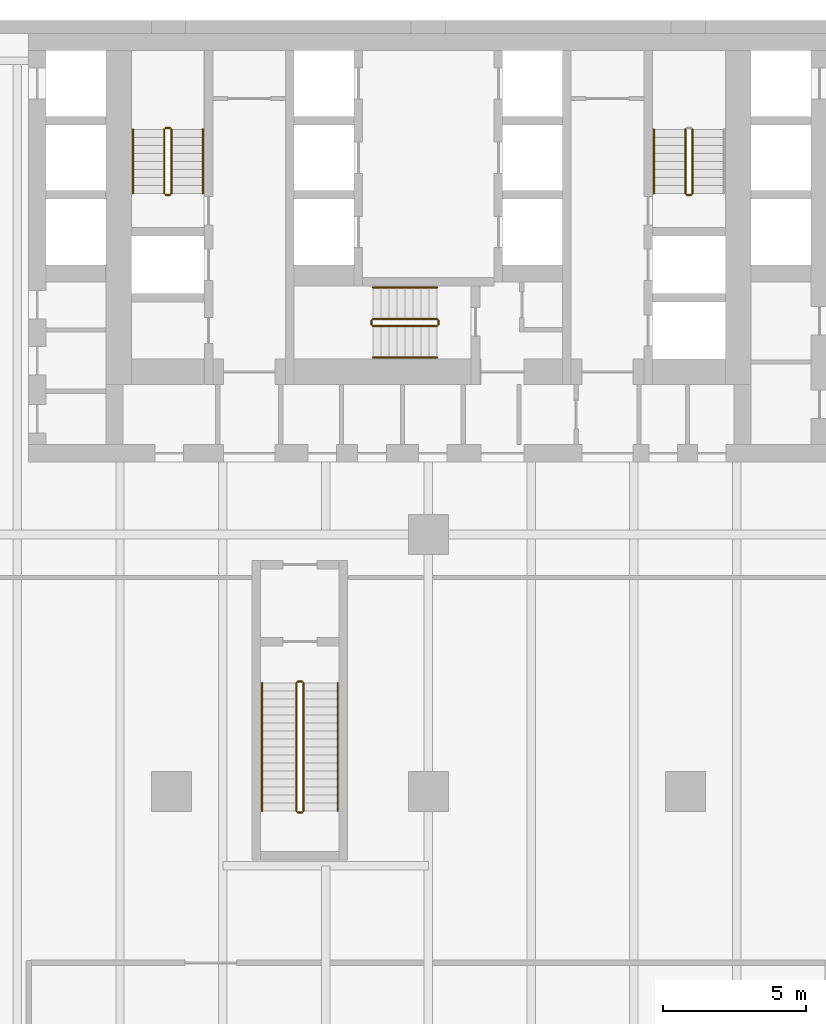
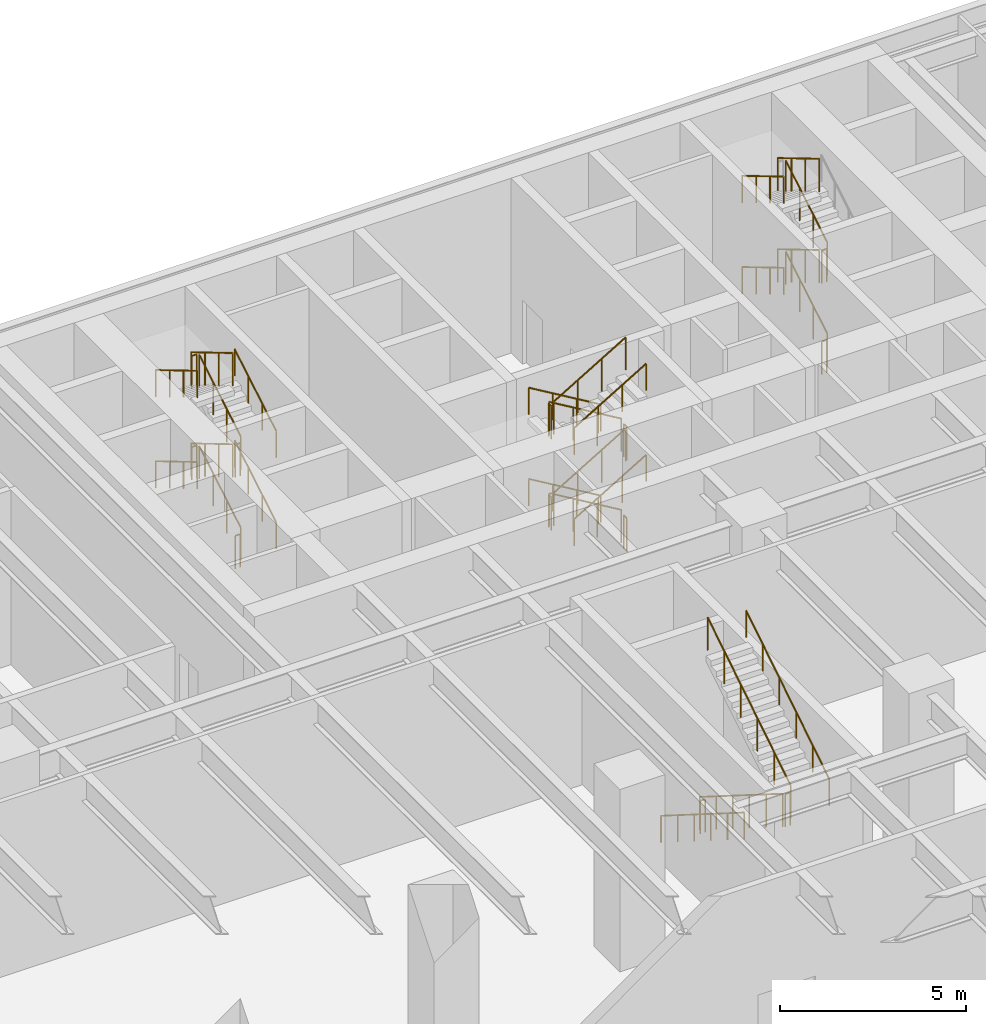
# One storey, part 38 of 40: 38 railings.
"""IFC4 building model written with IfcOpenShell, lengths in metres."""

from ifc_helpers import new_model, si_unit, direction, frame, origin, origin_2d, place, context, subcontext, project, spatial, circle, extrude, material, type_object, element, save


model = new_model("IFC4")

# Units and contexts
model_context = context("Model", 3, precision=1e-05, world=origin(), true_north=direction((0.0, 1.0)))
body_context = subcontext(model_context, "Body", "Model", "MODEL_VIEW")
ifc_project = project(units=[si_unit("LENGTHUNIT", "METRE"), si_unit("AREAUNIT", "SQUARE_METRE"), si_unit("VOLUMEUNIT", "CUBIC_METRE"), si_unit("PLANEANGLEUNIT", "RADIAN"), si_unit("MASSUNIT", "GRAM", prefix="KILO")], contexts=[model_context])

# Site, building, storey
site_placement = place(None, origin())
site = spatial("IfcSite", under=ifc_project, at=site_placement, CompositionType="ELEMENT")
building_placement = place(site_placement, origin())
building = spatial("IfcBuilding", under=site, at=building_placement, Name="Aloe Facet Convention Tower", CompositionType="ELEMENT")
storey_placement = place(building_placement, frame((0.0, 0.0, 13.5)))
storey = spatial("IfcBuildingStorey", under=building, at=storey_placement, Name="L02", CompositionType="ELEMENT", Elevation=13.5)

# Railings
ifc_material_1 = material(Name="Steel S355 balustrade", Category="steel")
railing_type_1 = type_object("IfcRailingType", Name="CR-RL-GUARD", PredefinedType="GUARDRAIL", material=ifc_material_1)
railing_1_placement = place(storey_placement, frame((71.0, 128.949951171875, 0.166748046875)))
element("IfcRailing", 1, at=railing_1_placement, inside=storey, type_object=railing_type_1, Name="L02 ST1 stair guard 1", PredefinedType="GUARDRAIL", context=body_context, shape_type="SweptSolid", body=[
    extrude(circle(Radius=0.02392578125, at=origin_2d()), frame((0.0, 0.0, 1.076171875), z_axis=(0.0, 0.859305625298, 0.511462454469), x_axis=(-1.0, 0.0, 0.0)), (0.0, 0.0, 1.0), 2.606689453125),
    extrude(circle(Radius=0.02099609375, at=origin_2d()), origin(), (0.0, 0.0, 1.0), 1.052001953125),
    extrude(circle(Radius=0.02099609375, at=origin_2d()), frame((0.0, 0.74658203125, 0.4443359375)), (0.0, 0.0, 1.0), 1.052001953125),
    extrude(circle(Radius=0.02099609375, at=origin_2d()), frame((0.0, 1.493408203125, 0.888916015625)), (0.0, 0.0, 1.0), 1.052001953125),
    extrude(circle(Radius=0.02099609375, at=origin_2d()), frame((0.0, 2.239990234375, 1.333251953125)), (0.0, 0.0, 1.0), 1.052001953125),
])
railing_2_placement = place(storey_placement, frame((70.949951171875, 131.239990234375, 1.5)))
element("IfcRailing", 2, at=railing_2_placement, inside=storey, type_object=railing_type_1, Name="L02 ST1 stair guard 2", PredefinedType="GUARDRAIL", context=body_context, shape_type="SweptSolid", body=[
    extrude(circle(Radius=0.02392578125, at=origin_2d()), frame((0.0, 0.0, 1.076171875), z_axis=(-1.0, 0.0, 0.0), x_axis=(0.0, -1.0, 0.0)), (0.0, 0.0, 1.0), 0.14990234375),
    extrude(circle(Radius=0.02099609375, at=origin_2d()), origin(), (0.0, 0.0, 1.0), 1.052001953125),
    extrude(circle(Radius=0.02099609375, at=origin_2d()), frame((-0.14990234375, 0.0, 0.0)), (0.0, 0.0, 1.0), 1.052001953125),
])
railing_3_placement = place(storey_placement, frame((70.75, 131.18994140625, 1.666748046875)))
element("IfcRailing", 3, at=railing_3_placement, inside=storey, type_object=railing_type_1, Name="L02 ST1 stair guard 3", PredefinedType="GUARDRAIL", context=body_context, shape_type="SweptSolid", body=[
    extrude(circle(Radius=0.02392578125, at=origin_2d()), frame((0.0, 0.0, 1.076171875), z_axis=(0.0, -0.859305625298, 0.511462454469), x_axis=(1.0, 0.0, 0.0)), (0.0, 0.0, 1.0), 2.606689453125),
    extrude(circle(Radius=0.02099609375, at=origin_2d()), origin(), (0.0, 0.0, 1.0), 1.052001953125),
    extrude(circle(Radius=0.02099609375, at=origin_2d()), frame((0.0, -0.74658203125, 0.4443359375)), (0.0, 0.0, 1.0), 1.052001953125),
    extrude(circle(Radius=0.02099609375, at=origin_2d()), frame((0.0, -1.493408203125, 0.888916015625)), (0.0, 0.0, 1.0), 1.052001953125),
    extrude(circle(Radius=0.02099609375, at=origin_2d()), frame((0.0, -2.239990234375, 1.333251953125)), (0.0, 0.0, 1.0), 1.052001953125),
])
railing_4_placement = place(storey_placement, frame((70.949951171875, 128.89990234375, 3.0)))
element("IfcRailing", 4, at=railing_4_placement, inside=storey, type_object=railing_type_1, Name="L02 ST1 stair guard 4", PredefinedType="GUARDRAIL", context=body_context, shape_type="SweptSolid", body=[
    extrude(circle(Radius=0.02392578125, at=origin_2d()), frame((0.0, 0.0, 1.076171875), z_axis=(-1.0, 0.0, 0.0), x_axis=(0.0, -1.0, 0.0)), (0.0, 0.0, 1.0), 0.14990234375),
    extrude(circle(Radius=0.02099609375, at=origin_2d()), origin(), (0.0, 0.0, 1.0), 1.052001953125),
    extrude(circle(Radius=0.02099609375, at=origin_2d()), frame((-0.14990234375, 0.0, 0.0)), (0.0, 0.0, 1.0), 1.052001953125),
])
railing_5_placement = place(storey_placement, frame((71.0, 128.949951171875, 3.166748046875)))
element("IfcRailing", 5, at=railing_5_placement, inside=storey, type_object=railing_type_1, Name="L02 ST1 stair guard 5", PredefinedType="GUARDRAIL", context=body_context, shape_type="SweptSolid", body=[
    extrude(circle(Radius=0.02392578125, at=origin_2d()), frame((0.0, 0.0, 1.076171875), z_axis=(0.0, 0.859305625298, 0.511462454469), x_axis=(-1.0, 0.0, 0.0)), (0.0, 0.0, 1.0), 2.606689453125),
    extrude(circle(Radius=0.02099609375, at=origin_2d()), origin(), (0.0, 0.0, 1.0), 1.052001953125),
    extrude(circle(Radius=0.02099609375, at=origin_2d()), frame((0.0, 0.74658203125, 0.4443359375)), (0.0, 0.0, 1.0), 1.052001953125),
    extrude(circle(Radius=0.02099609375, at=origin_2d()), frame((0.0, 1.493408203125, 0.888916015625)), (0.0, 0.0, 1.0), 1.052001953125),
    extrude(circle(Radius=0.02099609375, at=origin_2d()), frame((0.0, 2.239990234375, 1.333251953125)), (0.0, 0.0, 1.0), 1.052001953125),
])
railing_6_placement = place(storey_placement, frame((70.949951171875, 131.239990234375, 4.5)))
element("IfcRailing", 6, at=railing_6_placement, inside=storey, type_object=railing_type_1, Name="L02 ST1 stair guard 6", PredefinedType="GUARDRAIL", context=body_context, shape_type="SweptSolid", body=[
    extrude(circle(Radius=0.02392578125, at=origin_2d()), frame((0.0, 0.0, 1.076171875), z_axis=(-1.0, 0.0, 0.0), x_axis=(0.0, -1.0, 0.0)), (0.0, 0.0, 1.0), 0.14990234375),
    extrude(circle(Radius=0.02099609375, at=origin_2d()), origin(), (0.0, 0.0, 1.0), 1.052001953125),
    extrude(circle(Radius=0.02099609375, at=origin_2d()), frame((-0.14990234375, 0.0, 0.0)), (0.0, 0.0, 1.0), 1.052001953125),
])
railing_7_placement = place(storey_placement, frame((70.75, 131.18994140625, 4.666748046875)))
element("IfcRailing", 7, at=railing_7_placement, inside=storey, type_object=railing_type_1, Name="L02 ST1 stair guard 7", PredefinedType="GUARDRAIL", context=body_context, shape_type="SweptSolid", body=[
    extrude(circle(Radius=0.02392578125, at=origin_2d()), frame((0.0, 0.0, 1.076171875), z_axis=(0.0, -0.859305625298, 0.511462454469), x_axis=(1.0, 0.0, 0.0)), (0.0, 0.0, 1.0), 2.606689453125),
    extrude(circle(Radius=0.02099609375, at=origin_2d()), origin(), (0.0, 0.0, 1.0), 1.052001953125),
    extrude(circle(Radius=0.02099609375, at=origin_2d()), frame((0.0, -0.74658203125, 0.4443359375)), (0.0, 0.0, 1.0), 1.052001953125),
    extrude(circle(Radius=0.02099609375, at=origin_2d()), frame((0.0, -1.493408203125, 0.888916015625)), (0.0, 0.0, 1.0), 1.052001953125),
    extrude(circle(Radius=0.02099609375, at=origin_2d()), frame((0.0, -2.239990234375, 1.333251953125)), (0.0, 0.0, 1.0), 1.052001953125),
])
railing_8_placement = place(storey_placement, frame((70.949951171875, 128.89990234375, 0.0)))
element("IfcRailing", 8, at=railing_8_placement, inside=storey, type_object=railing_type_1, Name="L02 ST1 stair guard 8", PredefinedType="GUARDRAIL", context=body_context, shape_type="SweptSolid", body=[
    extrude(circle(Radius=0.02392578125, at=origin_2d()), frame((0.0, 0.0, 1.076171875), z_axis=(-1.0, 0.0, 0.0), x_axis=(0.0, -1.0, 0.0)), (0.0, 0.0, 1.0), 0.14990234375),
    extrude(circle(Radius=0.02099609375, at=origin_2d()), origin(), (0.0, 0.0, 1.0), 1.052001953125),
    extrude(circle(Radius=0.02099609375, at=origin_2d()), frame((-0.14990234375, 0.0, 0.0)), (0.0, 0.0, 1.0), 1.052001953125),
])
railing_9_placement = place(storey_placement, frame((89.25, 128.949951171875, 0.166748046875)))
element("IfcRailing", 9, at=railing_9_placement, inside=storey, type_object=railing_type_1, Name="L02 ST2 stair guard 1", PredefinedType="GUARDRAIL", context=body_context, shape_type="SweptSolid", body=[
    extrude(circle(Radius=0.02392578125, at=origin_2d()), frame((0.0, 0.0, 1.076171875), z_axis=(0.0, 0.859305625298, 0.511462454469), x_axis=(-1.0, 0.0, 0.0)), (0.0, 0.0, 1.0), 2.606689453125),
    extrude(circle(Radius=0.02099609375, at=origin_2d()), origin(), (0.0, 0.0, 1.0), 1.052001953125),
    extrude(circle(Radius=0.02099609375, at=origin_2d()), frame((0.0, 0.74658203125, 0.4443359375)), (0.0, 0.0, 1.0), 1.052001953125),
    extrude(circle(Radius=0.02099609375, at=origin_2d()), frame((0.0, 1.493408203125, 0.888916015625)), (0.0, 0.0, 1.0), 1.052001953125),
    extrude(circle(Radius=0.02099609375, at=origin_2d()), frame((0.0, 2.239990234375, 1.333251953125)), (0.0, 0.0, 1.0), 1.052001953125),
])
railing_10_placement = place(storey_placement, frame((89.0, 131.18994140625, 1.666748046875)))
element("IfcRailing", 10, at=railing_10_placement, inside=storey, type_object=railing_type_1, Name="L02 ST2 stair guard 3", PredefinedType="GUARDRAIL", context=body_context, shape_type="SweptSolid", body=[
    extrude(circle(Radius=0.02392578125, at=origin_2d()), frame((0.0, 0.0, 1.076171875), z_axis=(0.0, -0.859305625298, 0.511462454469), x_axis=(1.0, 0.0, 0.0)), (0.0, 0.0, 1.0), 2.606689453125),
    extrude(circle(Radius=0.02099609375, at=origin_2d()), origin(), (0.0, 0.0, 1.0), 1.052001953125),
    extrude(circle(Radius=0.02099609375, at=origin_2d()), frame((0.0, -0.74658203125, 0.4443359375)), (0.0, 0.0, 1.0), 1.052001953125),
    extrude(circle(Radius=0.02099609375, at=origin_2d()), frame((0.0, -1.493408203125, 0.888916015625)), (0.0, 0.0, 1.0), 1.052001953125),
    extrude(circle(Radius=0.02099609375, at=origin_2d()), frame((0.0, -2.239990234375, 1.333251953125)), (0.0, 0.0, 1.0), 1.052001953125),
])
railing_11_placement = place(storey_placement, frame((89.199951171875, 128.89990234375, 3.0)))
element("IfcRailing", 11, at=railing_11_placement, inside=storey, type_object=railing_type_1, Name="L02 ST2 stair guard 4", PredefinedType="GUARDRAIL", context=body_context, shape_type="SweptSolid", body=[
    extrude(circle(Radius=0.02392578125, at=origin_2d()), frame((0.0, 0.0, 1.076171875), z_axis=(-1.0, 0.0, 0.0), x_axis=(0.0, -1.0, 0.0)), (0.0, 0.0, 1.0), 0.14990234375),
    extrude(circle(Radius=0.02099609375, at=origin_2d()), origin(), (0.0, 0.0, 1.0), 1.052001953125),
    extrude(circle(Radius=0.02099609375, at=origin_2d()), frame((-0.14990234375, 0.0, 0.0)), (0.0, 0.0, 1.0), 1.052001953125),
])
railing_12_placement = place(storey_placement, frame((89.25, 128.949951171875, 3.166748046875)))
element("IfcRailing", 12, at=railing_12_placement, inside=storey, type_object=railing_type_1, Name="L02 ST2 stair guard 5", PredefinedType="GUARDRAIL", context=body_context, shape_type="SweptSolid", body=[
    extrude(circle(Radius=0.02392578125, at=origin_2d()), frame((0.0, 0.0, 1.076171875), z_axis=(0.0, 0.859305625298, 0.511462454469), x_axis=(-1.0, 0.0, 0.0)), (0.0, 0.0, 1.0), 2.606689453125),
    extrude(circle(Radius=0.02099609375, at=origin_2d()), origin(), (0.0, 0.0, 1.0), 1.052001953125),
    extrude(circle(Radius=0.02099609375, at=origin_2d()), frame((0.0, 0.74658203125, 0.4443359375)), (0.0, 0.0, 1.0), 1.052001953125),
    extrude(circle(Radius=0.02099609375, at=origin_2d()), frame((0.0, 1.493408203125, 0.888916015625)), (0.0, 0.0, 1.0), 1.052001953125),
    extrude(circle(Radius=0.02099609375, at=origin_2d()), frame((0.0, 2.239990234375, 1.333251953125)), (0.0, 0.0, 1.0), 1.052001953125),
])
railing_13_placement = place(storey_placement, frame((89.0, 131.18994140625, 4.666748046875)))
element("IfcRailing", 13, at=railing_13_placement, inside=storey, type_object=railing_type_1, Name="L02 ST2 stair guard 7", PredefinedType="GUARDRAIL", context=body_context, shape_type="SweptSolid", body=[
    extrude(circle(Radius=0.02392578125, at=origin_2d()), frame((0.0, 0.0, 1.076171875), z_axis=(0.0, -0.859305625298, 0.511462454469), x_axis=(1.0, 0.0, 0.0)), (0.0, 0.0, 1.0), 2.606689453125),
    extrude(circle(Radius=0.02099609375, at=origin_2d()), origin(), (0.0, 0.0, 1.0), 1.052001953125),
    extrude(circle(Radius=0.02099609375, at=origin_2d()), frame((0.0, -0.74658203125, 0.4443359375)), (0.0, 0.0, 1.0), 1.052001953125),
    extrude(circle(Radius=0.02099609375, at=origin_2d()), frame((0.0, -1.493408203125, 0.888916015625)), (0.0, 0.0, 1.0), 1.052001953125),
    extrude(circle(Radius=0.02099609375, at=origin_2d()), frame((0.0, -2.239990234375, 1.333251953125)), (0.0, 0.0, 1.0), 1.052001953125),
])
railing_14_placement = place(storey_placement, frame((89.199951171875, 128.89990234375, 0.0)))
element("IfcRailing", 14, at=railing_14_placement, inside=storey, type_object=railing_type_1, Name="L02 ST2 stair guard 8", PredefinedType="GUARDRAIL", context=body_context, shape_type="SweptSolid", body=[
    extrude(circle(Radius=0.02392578125, at=origin_2d()), frame((0.0, 0.0, 1.076171875), z_axis=(-1.0, 0.0, 0.0), x_axis=(0.0, -1.0, 0.0)), (0.0, 0.0, 1.0), 0.14990234375),
    extrude(circle(Radius=0.02099609375, at=origin_2d()), origin(), (0.0, 0.0, 1.0), 1.052001953125),
    extrude(circle(Radius=0.02099609375, at=origin_2d()), frame((-0.14990234375, 0.0, 0.0)), (0.0, 0.0, 1.0), 1.052001953125),
])
railing_15_placement = place(storey_placement, frame((80.300048828125, 124.550048828125, 0.166748046875)))
element("IfcRailing", 15, at=railing_15_placement, inside=storey, type_object=railing_type_1, Name="L02 ST3 stair guard 1", PredefinedType="GUARDRAIL", context=body_context, shape_type="SweptSolid", body=[
    extrude(circle(Radius=0.02392578125, at=origin_2d()), frame((0.0, 0.0, 1.076171875), z_axis=(-0.859305625298, 0.0, 0.511462454469), x_axis=(0.0, -1.0, 0.0)), (0.0, 0.0, 1.0), 2.606689453125),
    extrude(circle(Radius=0.02099609375, at=origin_2d()), origin(), (0.0, 0.0, 1.0), 1.052001953125),
    extrude(circle(Radius=0.02099609375, at=origin_2d()), frame((-0.74658203125, 0.0, 0.4443359375)), (0.0, 0.0, 1.0), 1.052001953125),
    extrude(circle(Radius=0.02099609375, at=origin_2d()), frame((-1.493408203125, 0.0, 0.888916015625)), (0.0, 0.0, 1.0), 1.052001953125),
    extrude(circle(Radius=0.02099609375, at=origin_2d()), frame((-2.239990234375, 0.0, 1.333251953125)), (0.0, 0.0, 1.0), 1.052001953125),
])
railing_16_placement = place(storey_placement, frame((78.010009765625, 124.5, 1.5)))
element("IfcRailing", 16, at=railing_16_placement, inside=storey, type_object=railing_type_1, Name="L02 ST3 stair guard 2", PredefinedType="GUARDRAIL", context=body_context, shape_type="SweptSolid", body=[
    extrude(circle(Radius=0.02392578125, at=origin_2d()), frame((0.0, 0.0, 1.076171875), z_axis=(0.0, -1.0, 0.0), x_axis=(1.0, 0.0, 0.0)), (0.0, 0.0, 1.0), 0.14990234375),
    extrude(circle(Radius=0.02099609375, at=origin_2d()), origin(), (0.0, 0.0, 1.0), 1.052001953125),
    extrude(circle(Radius=0.02099609375, at=origin_2d()), frame((0.0, -0.14990234375, 0.0)), (0.0, 0.0, 1.0), 1.052001953125),
])
railing_17_placement = place(storey_placement, frame((78.06005859375, 124.300048828125, 1.666748046875)))
element("IfcRailing", 17, at=railing_17_placement, inside=storey, type_object=railing_type_1, Name="L02 ST3 stair guard 3", PredefinedType="GUARDRAIL", context=body_context, shape_type="SweptSolid", body=[
    extrude(circle(Radius=0.02392578125, at=origin_2d()), frame((0.0, 0.0, 1.076171875), z_axis=(0.859305625298, 0.0, 0.511462454469), x_axis=(0.0, 1.0, 0.0)), (0.0, 0.0, 1.0), 2.606689453125),
    extrude(circle(Radius=0.02099609375, at=origin_2d()), origin(), (0.0, 0.0, 1.0), 1.052001953125),
    extrude(circle(Radius=0.02099609375, at=origin_2d()), frame((0.74658203125, 0.0, 0.4443359375)), (0.0, 0.0, 1.0), 1.052001953125),
    extrude(circle(Radius=0.02099609375, at=origin_2d()), frame((1.493408203125, 0.0, 0.888916015625)), (0.0, 0.0, 1.0), 1.052001953125),
    extrude(circle(Radius=0.02099609375, at=origin_2d()), frame((2.239990234375, 0.0, 1.333251953125)), (0.0, 0.0, 1.0), 1.052001953125),
])
railing_18_placement = place(storey_placement, frame((80.35009765625, 124.5, 3.0)))
element("IfcRailing", 18, at=railing_18_placement, inside=storey, type_object=railing_type_1, Name="L02 ST3 stair guard 4", PredefinedType="GUARDRAIL", context=body_context, shape_type="SweptSolid", body=[
    extrude(circle(Radius=0.02392578125, at=origin_2d()), frame((0.0, 0.0, 1.076171875), z_axis=(0.0, -1.0, 0.0), x_axis=(1.0, 0.0, 0.0)), (0.0, 0.0, 1.0), 0.14990234375),
    extrude(circle(Radius=0.02099609375, at=origin_2d()), origin(), (0.0, 0.0, 1.0), 1.052001953125),
    extrude(circle(Radius=0.02099609375, at=origin_2d()), frame((0.0, -0.14990234375, 0.0)), (0.0, 0.0, 1.0), 1.052001953125),
])
railing_19_placement = place(storey_placement, frame((80.300048828125, 124.550048828125, 3.166748046875)))
element("IfcRailing", 19, at=railing_19_placement, inside=storey, type_object=railing_type_1, Name="L02 ST3 stair guard 5", PredefinedType="GUARDRAIL", context=body_context, shape_type="SweptSolid", body=[
    extrude(circle(Radius=0.02392578125, at=origin_2d()), frame((0.0, 0.0, 1.076171875), z_axis=(-0.859305625298, 0.0, 0.511462454469), x_axis=(0.0, -1.0, 0.0)), (0.0, 0.0, 1.0), 2.606689453125),
    extrude(circle(Radius=0.02099609375, at=origin_2d()), origin(), (0.0, 0.0, 1.0), 1.052001953125),
    extrude(circle(Radius=0.02099609375, at=origin_2d()), frame((-0.74658203125, 0.0, 0.4443359375)), (0.0, 0.0, 1.0), 1.052001953125),
    extrude(circle(Radius=0.02099609375, at=origin_2d()), frame((-1.493408203125, 0.0, 0.888916015625)), (0.0, 0.0, 1.0), 1.052001953125),
    extrude(circle(Radius=0.02099609375, at=origin_2d()), frame((-2.239990234375, 0.0, 1.333251953125)), (0.0, 0.0, 1.0), 1.052001953125),
])
railing_20_placement = place(storey_placement, frame((78.010009765625, 124.5, 4.5)))
element("IfcRailing", 20, at=railing_20_placement, inside=storey, type_object=railing_type_1, Name="L02 ST3 stair guard 6", PredefinedType="GUARDRAIL", context=body_context, shape_type="SweptSolid", body=[
    extrude(circle(Radius=0.02392578125, at=origin_2d()), frame((0.0, 0.0, 1.076171875), z_axis=(0.0, -1.0, 0.0), x_axis=(1.0, 0.0, 0.0)), (0.0, 0.0, 1.0), 0.14990234375),
    extrude(circle(Radius=0.02099609375, at=origin_2d()), origin(), (0.0, 0.0, 1.0), 1.052001953125),
    extrude(circle(Radius=0.02099609375, at=origin_2d()), frame((0.0, -0.14990234375, 0.0)), (0.0, 0.0, 1.0), 1.052001953125),
])
railing_21_placement = place(storey_placement, frame((78.06005859375, 124.300048828125, 4.666748046875)))
element("IfcRailing", 21, at=railing_21_placement, inside=storey, type_object=railing_type_1, Name="L02 ST3 stair guard 7", PredefinedType="GUARDRAIL", context=body_context, shape_type="SweptSolid", body=[
    extrude(circle(Radius=0.02392578125, at=origin_2d()), frame((0.0, 0.0, 1.076171875), z_axis=(0.859305625298, 0.0, 0.511462454469), x_axis=(0.0, 1.0, 0.0)), (0.0, 0.0, 1.0), 2.606689453125),
    extrude(circle(Radius=0.02099609375, at=origin_2d()), origin(), (0.0, 0.0, 1.0), 1.052001953125),
    extrude(circle(Radius=0.02099609375, at=origin_2d()), frame((0.74658203125, 0.0, 0.4443359375)), (0.0, 0.0, 1.0), 1.052001953125),
    extrude(circle(Radius=0.02099609375, at=origin_2d()), frame((1.493408203125, 0.0, 0.888916015625)), (0.0, 0.0, 1.0), 1.052001953125),
    extrude(circle(Radius=0.02099609375, at=origin_2d()), frame((2.239990234375, 0.0, 1.333251953125)), (0.0, 0.0, 1.0), 1.052001953125),
])
railing_22_placement = place(storey_placement, frame((80.35009765625, 124.5, 0.0)))
element("IfcRailing", 22, at=railing_22_placement, inside=storey, type_object=railing_type_1, Name="L02 ST3 stair guard 8", PredefinedType="GUARDRAIL", context=body_context, shape_type="SweptSolid", body=[
    extrude(circle(Radius=0.02392578125, at=origin_2d()), frame((0.0, 0.0, 1.076171875), z_axis=(0.0, -1.0, 0.0), x_axis=(1.0, 0.0, 0.0)), (0.0, 0.0, 1.0), 0.14990234375),
    extrude(circle(Radius=0.02099609375, at=origin_2d()), origin(), (0.0, 0.0, 1.0), 1.052001953125),
    extrude(circle(Radius=0.02099609375, at=origin_2d()), frame((0.0, -0.14990234375, 0.0)), (0.0, 0.0, 1.0), 1.052001953125),
])
railing_23_placement = place(storey_placement, frame((75.375, 111.800048828125, 0.176513671875)))
element("IfcRailing", 23, at=railing_23_placement, inside=storey, type_object=railing_type_1, Name="L02 ST5 stair guard 1", PredefinedType="GUARDRAIL", context=body_context, shape_type="SweptSolid", body=[
    extrude(circle(Radius=0.02392578125, at=origin_2d()), frame((0.0, 0.0, 1.076171875), z_axis=(0.0, -0.845997938375, 0.533186166611), x_axis=(1.0, 0.0, 0.0)), (0.0, 0.0, 1.0), 5.29541015625),
    extrude(circle(Radius=0.02099609375, at=origin_2d()), origin(), (0.0, 0.0, 1.0), 1.052001953125),
    extrude(circle(Radius=0.02099609375, at=origin_2d()), frame((0.0, -0.89599609375, 0.564697265625)), (0.0, 0.0, 1.0), 1.052001953125),
    extrude(circle(Radius=0.02099609375, at=origin_2d()), frame((0.0, -1.7919921875, 1.12939453125)), (0.0, 0.0, 1.0), 1.052001953125),
    extrude(circle(Radius=0.02099609375, at=origin_2d()), frame((0.0, -2.68798828125, 1.694091796875)), (0.0, 0.0, 1.0), 1.052001953125),
    extrude(circle(Radius=0.02099609375, at=origin_2d()), frame((0.0, -3.583984375, 2.2587890625)), (0.0, 0.0, 1.0), 1.052001953125),
    extrude(circle(Radius=0.02099609375, at=origin_2d()), frame((0.0, -4.47998046875, 2.823486328125)), (0.0, 0.0, 1.0), 1.052001953125),
])
railing_24_placement = place(storey_placement, frame((75.425048828125, 107.27001953125, 3.0)))
element("IfcRailing", 24, at=railing_24_placement, inside=storey, type_object=railing_type_1, Name="L02 ST5 stair guard 2", PredefinedType="GUARDRAIL", context=body_context, shape_type="SweptSolid", body=[
    extrude(circle(Radius=0.02392578125, at=origin_2d()), frame((0.0, 0.0, 1.076171875), z_axis=(1.0, 0.0, 0.0), x_axis=(0.0, 1.0, 0.0)), (0.0, 0.0, 1.0), 0.14990234375),
    extrude(circle(Radius=0.02099609375, at=origin_2d()), origin(), (0.0, 0.0, 1.0), 1.052001953125),
    extrude(circle(Radius=0.02099609375, at=origin_2d()), frame((0.14990234375, 0.0, 0.0)), (0.0, 0.0, 1.0), 1.052001953125),
])
railing_25_placement = place(storey_placement, frame((75.625, 107.320068359375, 3.176513671875)))
element("IfcRailing", 25, at=railing_25_placement, inside=storey, type_object=railing_type_1, Name="L02 ST5 stair guard 3", PredefinedType="GUARDRAIL", context=body_context, shape_type="SweptSolid", body=[
    extrude(circle(Radius=0.02392578125, at=origin_2d()), frame((0.0, 0.0, 1.076171875), z_axis=(0.0, 0.845997938375, 0.533186166611), x_axis=(-1.0, 0.0, 0.0)), (0.0, 0.0, 1.0), 5.29541015625),
    extrude(circle(Radius=0.02099609375, at=origin_2d()), origin(), (0.0, 0.0, 1.0), 1.052001953125),
    extrude(circle(Radius=0.02099609375, at=origin_2d()), frame((0.0, 0.89599609375, 0.564697265625)), (0.0, 0.0, 1.0), 1.052001953125),
    extrude(circle(Radius=0.02099609375, at=origin_2d()), frame((0.0, 1.7919921875, 1.12939453125)), (0.0, 0.0, 1.0), 1.052001953125),
    extrude(circle(Radius=0.02099609375, at=origin_2d()), frame((0.0, 2.68798828125, 1.694091796875)), (0.0, 0.0, 1.0), 1.052001953125),
    extrude(circle(Radius=0.02099609375, at=origin_2d()), frame((0.0, 3.583984375, 2.2587890625)), (0.0, 0.0, 1.0), 1.052001953125),
    extrude(circle(Radius=0.02099609375, at=origin_2d()), frame((0.0, 4.47998046875, 2.823486328125)), (0.0, 0.0, 1.0), 1.052001953125),
])
railing_26_placement = place(storey_placement, frame((75.425048828125, 111.85009765625, 0.0)))
element("IfcRailing", 26, at=railing_26_placement, inside=storey, type_object=railing_type_1, Name="L02 ST5 stair guard 4", PredefinedType="GUARDRAIL", context=body_context, shape_type="SweptSolid", body=[
    extrude(circle(Radius=0.02392578125, at=origin_2d()), frame((0.0, 0.0, 1.076171875), z_axis=(1.0, 0.0, 0.0), x_axis=(0.0, 1.0, 0.0)), (0.0, 0.0, 1.0), 0.14990234375),
    extrude(circle(Radius=0.02099609375, at=origin_2d()), origin(), (0.0, 0.0, 1.0), 1.052001953125),
    extrude(circle(Radius=0.02099609375, at=origin_2d()), frame((0.14990234375, 0.0, 0.0)), (0.0, 0.0, 1.0), 1.052001953125),
])
ifc_material_2 = material(Name="Steel S355 handrail", Category="steel")
railing_type_2 = type_object("IfcRailingType", Name="CR-RL-HAND", PredefinedType="HANDRAIL", material=ifc_material_2)
railing_27_placement = place(storey_placement, frame((72.10009765625, 128.949951171875, 0.166748046875)))
element("IfcRailing", 27, at=railing_27_placement, inside=storey, type_object=railing_type_2, Name="L02 ST1 stair handrail 1", PredefinedType="HANDRAIL", context=body_context, shape_type="SweptSolid", body=[
    extrude(circle(Radius=0.02392578125, at=origin_2d()), frame((0.0, 0.0, 0.8759765625), z_axis=(0.0, 0.859305625298, 0.511462454469), x_axis=(-1.0, 0.0, 0.0)), (0.0, 0.0, 1.0), 2.606689453125),
    extrude(circle(Radius=0.02099609375, at=origin_2d()), origin(), (0.0, 0.0, 1.0), 0.851806640625),
    extrude(circle(Radius=0.02099609375, at=origin_2d()), frame((0.0, 0.74658203125, 0.4443359375)), (0.0, 0.0, 1.0), 0.851806640625),
    extrude(circle(Radius=0.02099609375, at=origin_2d()), frame((0.0, 1.493408203125, 0.888916015625)), (0.0, 0.0, 1.0), 0.851806640625),
    extrude(circle(Radius=0.02099609375, at=origin_2d()), frame((0.0, 2.239990234375, 1.333251953125)), (0.0, 0.0, 1.0), 0.851806640625),
])
railing_28_placement = place(storey_placement, frame((69.64990234375, 131.18994140625, 1.666748046875)))
element("IfcRailing", 28, at=railing_28_placement, inside=storey, type_object=railing_type_2, Name="L02 ST1 stair handrail 2", PredefinedType="HANDRAIL", context=body_context, shape_type="SweptSolid", body=[
    extrude(circle(Radius=0.02392578125, at=origin_2d()), frame((0.0, 0.0, 0.8759765625), z_axis=(0.0, -0.859305625298, 0.511462454469), x_axis=(1.0, 0.0, 0.0)), (0.0, 0.0, 1.0), 2.606689453125),
    extrude(circle(Radius=0.02099609375, at=origin_2d()), origin(), (0.0, 0.0, 1.0), 0.851806640625),
    extrude(circle(Radius=0.02099609375, at=origin_2d()), frame((0.0, -0.74658203125, 0.4443359375)), (0.0, 0.0, 1.0), 0.851806640625),
    extrude(circle(Radius=0.02099609375, at=origin_2d()), frame((0.0, -1.493408203125, 0.888916015625)), (0.0, 0.0, 1.0), 0.851806640625),
    extrude(circle(Radius=0.02099609375, at=origin_2d()), frame((0.0, -2.239990234375, 1.333251953125)), (0.0, 0.0, 1.0), 0.851806640625),
])
railing_29_placement = place(storey_placement, frame((72.10009765625, 128.949951171875, 3.166748046875)))
element("IfcRailing", 29, at=railing_29_placement, inside=storey, type_object=railing_type_2, Name="L02 ST1 stair handrail 3", PredefinedType="HANDRAIL", context=body_context, shape_type="SweptSolid", body=[
    extrude(circle(Radius=0.02392578125, at=origin_2d()), frame((0.0, 0.0, 0.8759765625), z_axis=(0.0, 0.859305625298, 0.511462454469), x_axis=(-1.0, 0.0, 0.0)), (0.0, 0.0, 1.0), 2.606689453125),
    extrude(circle(Radius=0.02099609375, at=origin_2d()), origin(), (0.0, 0.0, 1.0), 0.851806640625),
    extrude(circle(Radius=0.02099609375, at=origin_2d()), frame((0.0, 0.74658203125, 0.4443359375)), (0.0, 0.0, 1.0), 0.851806640625),
    extrude(circle(Radius=0.02099609375, at=origin_2d()), frame((0.0, 1.493408203125, 0.888916015625)), (0.0, 0.0, 1.0), 0.851806640625),
    extrude(circle(Radius=0.02099609375, at=origin_2d()), frame((0.0, 2.239990234375, 1.333251953125)), (0.0, 0.0, 1.0), 0.851806640625),
])
for number, where, name in (
    (30, (69.64990234375, 131.18994140625, 4.666748046875), "L02 ST1 stair handrail 4"),
    (31, (87.89990234375, 131.18994140625, 1.666748046875), "L02 ST2 stair handrail 2"),
    (32, (87.89990234375, 131.18994140625, 4.666748046875), "L02 ST2 stair handrail 4"),
):
    element("IfcRailing", number, at=place(storey_placement, frame(where)), inside=storey, type_object=railing_type_2, Name=name, PredefinedType="HANDRAIL", context=body_context, shape_type="SweptSolid", body=[
        extrude(circle(Radius=0.02392578125, at=origin_2d()), frame((0.0, 0.0, 0.8759765625), z_axis=(0.0, -0.859305625298, 0.511462454469), x_axis=(1.0, 0.0, 0.0)), (0.0, 0.0, 1.0), 2.606689453125),
        extrude(circle(Radius=0.02099609375, at=origin_2d()), origin(), (0.0, 0.0, 1.0), 0.851806640625),
        extrude(circle(Radius=0.02099609375, at=origin_2d()), frame((0.0, -0.74658203125, 0.4443359375)), (0.0, 0.0, 1.0), 0.851806640625),
        extrude(circle(Radius=0.02099609375, at=origin_2d()), frame((0.0, -1.493408203125, 0.888916015625)), (0.0, 0.0, 1.0), 0.851806640625),
        extrude(circle(Radius=0.02099609375, at=origin_2d()), frame((0.0, -2.239990234375, 1.333251953125)), (0.0, 0.0, 1.0), 0.851806640625),
    ])
railing_30_placement = place(storey_placement, frame((80.300048828125, 125.64990234375, 0.166748046875)))
element("IfcRailing", 33, at=railing_30_placement, inside=storey, type_object=railing_type_2, Name="L02 ST3 stair handrail 1", PredefinedType="HANDRAIL", context=body_context, shape_type="SweptSolid", body=[
    extrude(circle(Radius=0.02392578125, at=origin_2d()), frame((0.0, 0.0, 0.8759765625), z_axis=(-0.859305625298, 0.0, 0.511462454469), x_axis=(0.0, -1.0, 0.0)), (0.0, 0.0, 1.0), 2.606689453125),
    extrude(circle(Radius=0.02099609375, at=origin_2d()), origin(), (0.0, 0.0, 1.0), 0.851806640625),
    extrude(circle(Radius=0.02099609375, at=origin_2d()), frame((-0.74658203125, 0.0, 0.4443359375)), (0.0, 0.0, 1.0), 0.851806640625),
    extrude(circle(Radius=0.02099609375, at=origin_2d()), frame((-1.493408203125, 0.0, 0.888916015625)), (0.0, 0.0, 1.0), 0.851806640625),
    extrude(circle(Radius=0.02099609375, at=origin_2d()), frame((-2.239990234375, 0.0, 1.333251953125)), (0.0, 0.0, 1.0), 0.851806640625),
])
railing_31_placement = place(storey_placement, frame((78.06005859375, 123.199951171875, 1.666748046875)))
element("IfcRailing", 34, at=railing_31_placement, inside=storey, type_object=railing_type_2, Name="L02 ST3 stair handrail 2", PredefinedType="HANDRAIL", context=body_context, shape_type="SweptSolid", body=[
    extrude(circle(Radius=0.02392578125, at=origin_2d()), frame((0.0, 0.0, 0.8759765625), z_axis=(0.859305625298, 0.0, 0.511462454469), x_axis=(0.0, 1.0, 0.0)), (0.0, 0.0, 1.0), 2.606689453125),
    extrude(circle(Radius=0.02099609375, at=origin_2d()), origin(), (0.0, 0.0, 1.0), 0.851806640625),
    extrude(circle(Radius=0.02099609375, at=origin_2d()), frame((0.74658203125, 0.0, 0.4443359375)), (0.0, 0.0, 1.0), 0.851806640625),
    extrude(circle(Radius=0.02099609375, at=origin_2d()), frame((1.493408203125, 0.0, 0.888916015625)), (0.0, 0.0, 1.0), 0.851806640625),
    extrude(circle(Radius=0.02099609375, at=origin_2d()), frame((2.239990234375, 0.0, 1.333251953125)), (0.0, 0.0, 1.0), 0.851806640625),
])
railing_32_placement = place(storey_placement, frame((80.300048828125, 125.64990234375, 3.166748046875)))
element("IfcRailing", 35, at=railing_32_placement, inside=storey, type_object=railing_type_2, Name="L02 ST3 stair handrail 3", PredefinedType="HANDRAIL", context=body_context, shape_type="SweptSolid", body=[
    extrude(circle(Radius=0.02392578125, at=origin_2d()), frame((0.0, 0.0, 0.8759765625), z_axis=(-0.859305625298, 0.0, 0.511462454469), x_axis=(0.0, -1.0, 0.0)), (0.0, 0.0, 1.0), 2.606689453125),
    extrude(circle(Radius=0.02099609375, at=origin_2d()), origin(), (0.0, 0.0, 1.0), 0.851806640625),
    extrude(circle(Radius=0.02099609375, at=origin_2d()), frame((-0.74658203125, 0.0, 0.4443359375)), (0.0, 0.0, 1.0), 0.851806640625),
    extrude(circle(Radius=0.02099609375, at=origin_2d()), frame((-1.493408203125, 0.0, 0.888916015625)), (0.0, 0.0, 1.0), 0.851806640625),
    extrude(circle(Radius=0.02099609375, at=origin_2d()), frame((-2.239990234375, 0.0, 1.333251953125)), (0.0, 0.0, 1.0), 0.851806640625),
])
railing_33_placement = place(storey_placement, frame((78.06005859375, 123.199951171875, 4.666748046875)))
element("IfcRailing", 36, at=railing_33_placement, inside=storey, type_object=railing_type_2, Name="L02 ST3 stair handrail 4", PredefinedType="HANDRAIL", context=body_context, shape_type="SweptSolid", body=[
    extrude(circle(Radius=0.02392578125, at=origin_2d()), frame((0.0, 0.0, 0.8759765625), z_axis=(0.859305625298, 0.0, 0.511462454469), x_axis=(0.0, 1.0, 0.0)), (0.0, 0.0, 1.0), 2.606689453125),
    extrude(circle(Radius=0.02099609375, at=origin_2d()), origin(), (0.0, 0.0, 1.0), 0.851806640625),
    extrude(circle(Radius=0.02099609375, at=origin_2d()), frame((0.74658203125, 0.0, 0.4443359375)), (0.0, 0.0, 1.0), 0.851806640625),
    extrude(circle(Radius=0.02099609375, at=origin_2d()), frame((1.493408203125, 0.0, 0.888916015625)), (0.0, 0.0, 1.0), 0.851806640625),
    extrude(circle(Radius=0.02099609375, at=origin_2d()), frame((2.239990234375, 0.0, 1.333251953125)), (0.0, 0.0, 1.0), 0.851806640625),
])
railing_34_placement = place(storey_placement, frame((74.175048828125, 111.800048828125, 0.176513671875)))
element("IfcRailing", 37, at=railing_34_placement, inside=storey, type_object=railing_type_2, Name="L02 ST5 stair handrail 1", PredefinedType="HANDRAIL", context=body_context, shape_type="SweptSolid", body=[
    extrude(circle(Radius=0.02392578125, at=origin_2d()), frame((0.0, 0.0, 0.8759765625), z_axis=(0.0, -0.845997938375, 0.533186166611), x_axis=(1.0, 0.0, 0.0)), (0.0, 0.0, 1.0), 5.29541015625),
    extrude(circle(Radius=0.02099609375, at=origin_2d()), origin(), (0.0, 0.0, 1.0), 0.851806640625),
    extrude(circle(Radius=0.02099609375, at=origin_2d()), frame((0.0, -0.89599609375, 0.564697265625)), (0.0, 0.0, 1.0), 0.851806640625),
    extrude(circle(Radius=0.02099609375, at=origin_2d()), frame((0.0, -1.7919921875, 1.12939453125)), (0.0, 0.0, 1.0), 0.851806640625),
    extrude(circle(Radius=0.02099609375, at=origin_2d()), frame((0.0, -2.68798828125, 1.694091796875)), (0.0, 0.0, 1.0), 0.851806640625),
    extrude(circle(Radius=0.02099609375, at=origin_2d()), frame((0.0, -3.583984375, 2.2587890625)), (0.0, 0.0, 1.0), 0.851806640625),
    extrude(circle(Radius=0.02099609375, at=origin_2d()), frame((0.0, -4.47998046875, 2.823486328125)), (0.0, 0.0, 1.0), 0.851806640625),
])
railing_35_placement = place(storey_placement, frame((76.824951171875, 107.320068359375, 3.176513671875)))
element("IfcRailing", 38, at=railing_35_placement, inside=storey, type_object=railing_type_2, Name="L02 ST5 stair handrail 2", PredefinedType="HANDRAIL", context=body_context, shape_type="SweptSolid", body=[
    extrude(circle(Radius=0.02392578125, at=origin_2d()), frame((0.0, 0.0, 0.8759765625), z_axis=(0.0, 0.845997938375, 0.533186166611), x_axis=(-1.0, 0.0, 0.0)), (0.0, 0.0, 1.0), 5.29541015625),
    extrude(circle(Radius=0.02099609375, at=origin_2d()), origin(), (0.0, 0.0, 1.0), 0.851806640625),
    extrude(circle(Radius=0.02099609375, at=origin_2d()), frame((0.0, 0.89599609375, 0.564697265625)), (0.0, 0.0, 1.0), 0.851806640625),
    extrude(circle(Radius=0.02099609375, at=origin_2d()), frame((0.0, 1.7919921875, 1.12939453125)), (0.0, 0.0, 1.0), 0.851806640625),
    extrude(circle(Radius=0.02099609375, at=origin_2d()), frame((0.0, 2.68798828125, 1.694091796875)), (0.0, 0.0, 1.0), 0.851806640625),
    extrude(circle(Radius=0.02099609375, at=origin_2d()), frame((0.0, 3.583984375, 2.2587890625)), (0.0, 0.0, 1.0), 0.851806640625),
    extrude(circle(Radius=0.02099609375, at=origin_2d()), frame((0.0, 4.47998046875, 2.823486328125)), (0.0, 0.0, 1.0), 0.851806640625),
])

save(model, "model.ifc")
